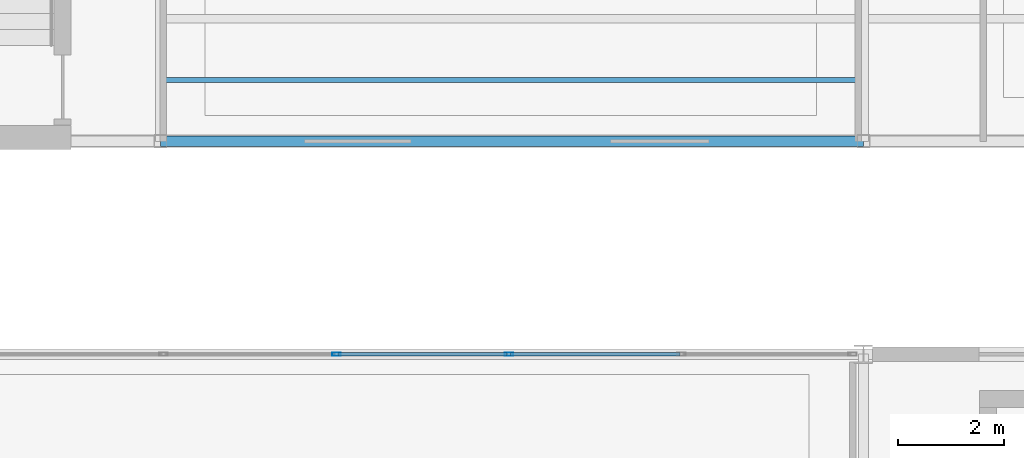
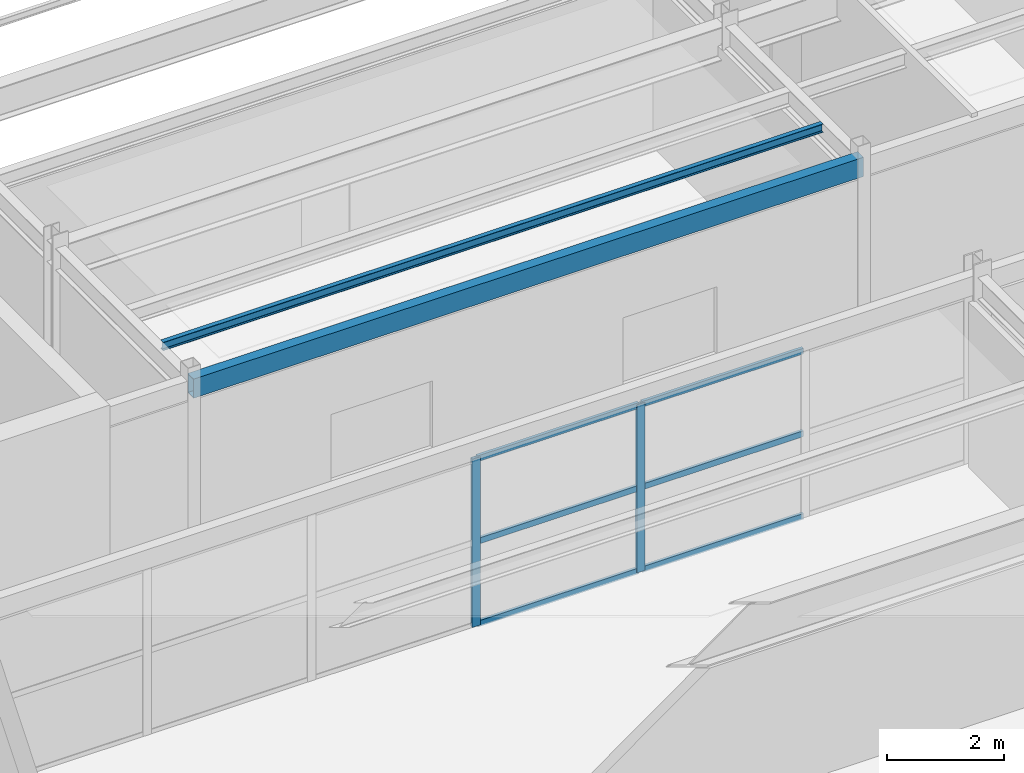
# One storey, part 21 of 148: 8 members, 2 beams, 1 element without a shape of its own.
"""IFC4 building model written with IfcOpenShell, lengths in metres."""

from ifc_helpers import new_model, si_unit, direction, frame, origin, origin_2d, place, context, subcontext, project, spatial, hollow_rectangle, i_section, extrude, material, material_profile, profile_set, type_object, element, aggregate, save


model = new_model("IFC4")

# Units and contexts
model_context = context("Model", 3, precision=1e-05, world=origin(), true_north=direction((0.0, 1.0)))
body_context = subcontext(model_context, "Body", "Model", "MODEL_VIEW")
ifc_project = project(units=[si_unit("LENGTHUNIT", "METRE"), si_unit("AREAUNIT", "SQUARE_METRE"), si_unit("VOLUMEUNIT", "CUBIC_METRE"), si_unit("PLANEANGLEUNIT", "RADIAN"), si_unit("MASSUNIT", "GRAM", prefix="KILO")], contexts=[model_context])

# Site, building, storey
site_placement = place(None, origin())
site = spatial("IfcSite", under=ifc_project, at=site_placement, CompositionType="ELEMENT")
building_placement = place(site_placement, origin())
building = spatial("IfcBuilding", under=site, at=building_placement, Name="Karori Crest Natural Sciences Institute", CompositionType="ELEMENT")
storey_placement = place(building_placement, frame((0.0, 0.0, 4.89990234375)))
storey = spatial("IfcBuildingStorey", under=building, at=storey_placement, Name="L01", CompositionType="ELEMENT", Elevation=4.89990234375)

# Beams
ifc_material_1 = material(Name="Hollow structural steel AS/NZS 1163 Grade C350", Category="steel")
ifc_material_profile_1 = material_profile(ifc_material_1, hollow_rectangle(XDim=0.199951171875, YDim=0.39990234375, WallThickness=0.012451171875, at=origin_2d()), Name="RHS400x200x12.5")
ifc_profile_set_1 = profile_set([ifc_material_profile_1], Name="Hollow structural steel AS/NZS 1163 Grade C350")
beam_type_1 = type_object("IfcBeamType", Name="BT-14", PredefinedType="SPANDREL", material=ifc_profile_set_1)
beam_1_placement = place(storey_placement, frame((7.39990234375, 31.199951171875, 3.72021484375), z_axis=(1.0, 0.0, 0.0), x_axis=(0.0, 1.0, 0.0)))
element("IfcBeam", 1, at=beam_1_placement, inside=storey, type_object=beam_type_1, Name="Beam B-1009", PredefinedType="SPANDREL", context=body_context, shape_type="SweptSolid", body=[
    extrude(hollow_rectangle(XDim=0.199951171875, YDim=0.39990234375, WallThickness=0.012451171875, at=origin_2d()), origin(), (0.0, 0.0, 1.0), 13.2001953125),
])
ifc_material_2 = material(Name="Structural steel AS/NZS 3679.1 Grade 350", Category="steel")
ifc_material_profile_2 = material_profile(ifc_material_2, i_section(OverallWidth=0.090087890625, OverallDepth=0.175048828125, WebThickness=0.0048828125, FlangeThickness=0.008056640625, FilletRadius=0.009033203125, at=origin_2d()), Name="180UB18.1")
ifc_profile_set_2 = profile_set([ifc_material_profile_2], Name="Structural steel AS/NZS 3679.1 Grade 350")
beam_type_2 = type_object("IfcBeamType", Name="BT-31", PredefinedType="LINTEL", material=ifc_profile_set_2)
beam_2_placement = place(storey_placement, frame((7.49560546875, 32.35009765625, 3.83251953125), z_axis=(1.0, 0.0, 0.0), x_axis=(0.0, 1.0, 0.0)))
element("IfcBeam", 2, at=beam_2_placement, inside=storey, type_object=beam_type_2, Name="Beam B-1062", PredefinedType="LINTEL", context=body_context, shape_type="SweptSolid", body=[
    extrude(i_section(OverallWidth=0.090087890625, OverallDepth=0.175048828125, WebThickness=0.0048828125, FlangeThickness=0.008056640625, FilletRadius=0.009033203125, at=origin_2d()), origin(), (0.0, 0.0, 1.0), 13.0087890625),
])

# Curtain wall, members
ifc_material_3 = material(Name="Anodised architectural aluminium 6063-T6", Category="aluminium")
curtain_wall_type = type_object("IfcCurtainWallType", Name="CWT-16", PredefinedType="NOTDEFINED", material=ifc_material_3)
curtain_wall_placement = place(storey_placement, origin())
curtain_wall = element("IfcCurtainWall", 3, at=curtain_wall_placement, inside=storey, type_object=curtain_wall_type, Name="Curtain wall CW-0252", PredefinedType="NOTDEFINED")
ifc_material_profile_3 = material_profile(ifc_material_3, hollow_rectangle(XDim=0.06494140625, YDim=0.159912109375, WallThickness=0.00390625, at=origin_2d()), Name="CWM160x65x4")
ifc_profile_set_3 = profile_set([ifc_material_profile_3], Name="Anodised architectural aluminium 6063-T6")
member_type_1 = type_object("IfcMemberType", Name="CWM-01", PredefinedType="MULLION", material=ifc_profile_set_3)
member_1_placement = place(storey_placement, frame((10.699951171875, 27.199951171875, 0.0), z_axis=(0.0, 0.0, 1.0), x_axis=(0.0, 1.0, 0.0)))
member_1 = element("IfcMember", 4, at=member_1_placement, type_object=member_type_1, Name="CW-0252 mullion 4", PredefinedType="MULLION", context=body_context, shape_type="SweptSolid", body=[
    extrude(hollow_rectangle(XDim=0.06494140625, YDim=0.159912109375, WallThickness=0.00390625, at=origin_2d()), origin(), (0.0, 0.0, 1.0), 3.505126953125),
])
member_2_placement = place(storey_placement, frame((13.9423828125, 27.199951171875, 0.0), z_axis=(0.0, 0.0, 1.0), x_axis=(0.0, 1.0, 0.0)))
member_2 = element("IfcMember", 5, at=member_2_placement, type_object=member_type_1, Name="CW-0252 mullion 5", PredefinedType="MULLION", context=body_context, shape_type="SweptSolid", body=[
    extrude(hollow_rectangle(XDim=0.06494140625, YDim=0.159912109375, WallThickness=0.00390625, at=origin_2d()), origin(), (0.0, 0.0, 1.0), 3.505126953125),
])
ifc_material_profile_4 = material_profile(ifc_material_3, hollow_rectangle(XDim=0.06005859375, YDim=0.1201171875, WallThickness=0.00390625, at=origin_2d()), Name="CWT120x60x4")
ifc_profile_set_4 = profile_set([ifc_material_profile_4], Name="Anodised architectural aluminium 6063-T6")
member_type_2 = type_object("IfcMemberType", Name="CWT-TR1", PredefinedType="USERDEFINED", material=ifc_profile_set_4)
member_3_placement = place(storey_placement, frame((10.732421875, 27.199951171875, 0.030029296875), z_axis=(1.0, 0.0, 0.0), x_axis=(0.0, 1.0, 0.0)))
member_3 = element("IfcMember", 6, at=member_3_placement, type_object=member_type_2, Name="CW-0252 transom 4.1", ObjectType="TRANSOM", PredefinedType="USERDEFINED", context=body_context, shape_type="SweptSolid", body=[
    extrude(hollow_rectangle(XDim=0.06005859375, YDim=0.1201171875, WallThickness=0.00390625, at=origin_2d()), origin(), (0.0, 0.0, 1.0), 3.177490234375),
])
member_4_placement = place(storey_placement, frame((10.732421875, 27.199951171875, 1.752685546875), z_axis=(1.0, 0.0, 0.0), x_axis=(0.0, 1.0, 0.0)))
member_4 = element("IfcMember", 7, at=member_4_placement, type_object=member_type_2, Name="CW-0252 transom 4.2", ObjectType="TRANSOM", PredefinedType="USERDEFINED", context=body_context, shape_type="SweptSolid", body=[
    extrude(hollow_rectangle(XDim=0.06005859375, YDim=0.1201171875, WallThickness=0.00390625, at=origin_2d()), origin(), (0.0, 0.0, 1.0), 3.177490234375),
])
member_5_placement = place(storey_placement, frame((10.732421875, 27.199951171875, 3.47509765625), z_axis=(1.0, 0.0, 0.0), x_axis=(0.0, 1.0, 0.0)))
member_5 = element("IfcMember", 8, at=member_5_placement, type_object=member_type_2, Name="CW-0252 transom 4.3", ObjectType="TRANSOM", PredefinedType="USERDEFINED", context=body_context, shape_type="SweptSolid", body=[
    extrude(hollow_rectangle(XDim=0.06005859375, YDim=0.1201171875, WallThickness=0.00390625, at=origin_2d()), origin(), (0.0, 0.0, 1.0), 3.177490234375),
])
member_6_placement = place(storey_placement, frame((13.974853515625, 27.199951171875, 0.030029296875), z_axis=(1.0, 0.0, 0.0), x_axis=(0.0, 1.0, 0.0)))
member_6 = element("IfcMember", 9, at=member_6_placement, type_object=member_type_2, Name="CW-0252 transom 5.1", ObjectType="TRANSOM", PredefinedType="USERDEFINED", context=body_context, shape_type="SweptSolid", body=[
    extrude(hollow_rectangle(XDim=0.06005859375, YDim=0.1201171875, WallThickness=0.00390625, at=origin_2d()), origin(), (0.0, 0.0, 1.0), 3.17724609375),
])
member_7_placement = place(storey_placement, frame((13.974853515625, 27.199951171875, 1.752685546875), z_axis=(1.0, 0.0, 0.0), x_axis=(0.0, 1.0, 0.0)))
member_7 = element("IfcMember", 10, at=member_7_placement, type_object=member_type_2, Name="CW-0252 transom 5.2", ObjectType="TRANSOM", PredefinedType="USERDEFINED", context=body_context, shape_type="SweptSolid", body=[
    extrude(hollow_rectangle(XDim=0.06005859375, YDim=0.1201171875, WallThickness=0.00390625, at=origin_2d()), origin(), (0.0, 0.0, 1.0), 3.17724609375),
])
member_8_placement = place(storey_placement, frame((13.974853515625, 27.199951171875, 3.47509765625), z_axis=(1.0, 0.0, 0.0), x_axis=(0.0, 1.0, 0.0)))
member_8 = element("IfcMember", 11, at=member_8_placement, type_object=member_type_2, Name="CW-0252 transom 5.3", ObjectType="TRANSOM", PredefinedType="USERDEFINED", context=body_context, shape_type="SweptSolid", body=[
    extrude(hollow_rectangle(XDim=0.06005859375, YDim=0.1201171875, WallThickness=0.00390625, at=origin_2d()), origin(), (0.0, 0.0, 1.0), 3.17724609375),
])
aggregate(curtain_wall, [member_1, member_2, member_3, member_4, member_5, member_6, member_7, member_8])

save(model, "model.ifc")
